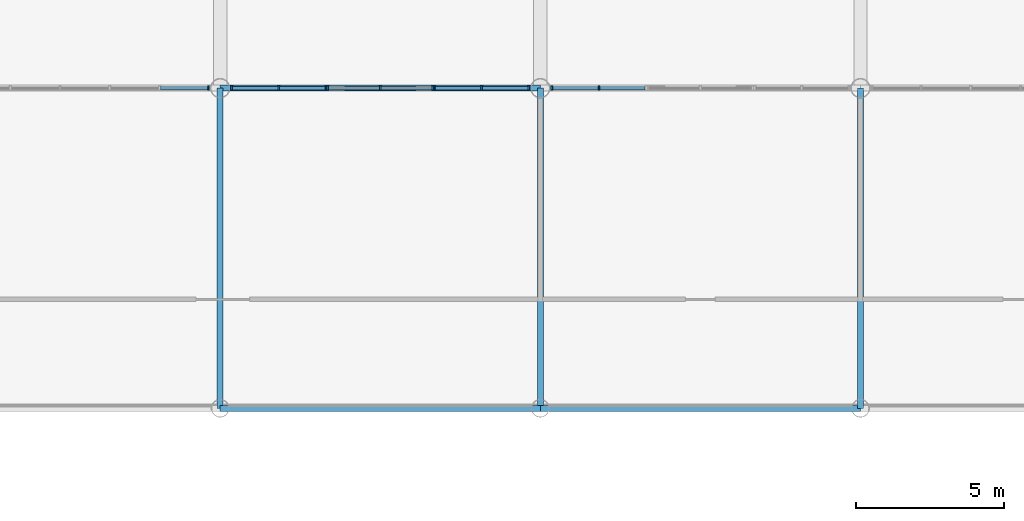
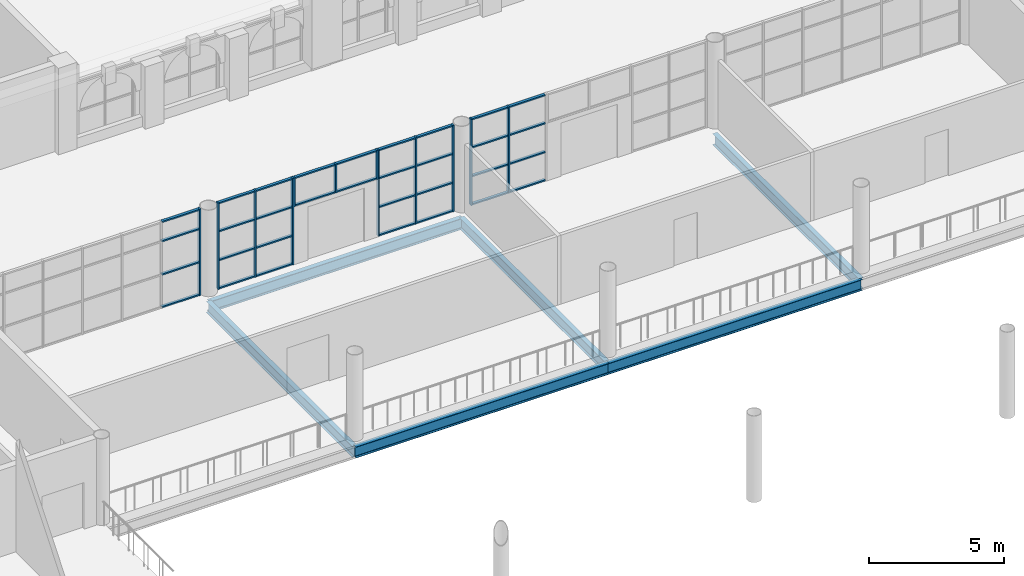
# One storey, part 25 of 95: 44 members, 6 beams, 5 elements without a shape of their own.
"""IFC4 building model written with IfcOpenShell, lengths in metres."""

from ifc_helpers import new_model, si_unit, direction, frame, origin, origin_2d, place, context, subcontext, project, spatial, rectangle, i_section, extrude, material, layer, layer_set, material_profile, profile_set, type_object, element, aggregate, save


model = new_model("IFC4")

# Units and contexts
model_context = context("Model", 3, precision=1e-05, world=origin(), true_north=direction((0.0, 1.0)))
body_context = subcontext(model_context, "Body", "Model", "MODEL_VIEW")
ifc_project = project(units=[si_unit("LENGTHUNIT", "METRE"), si_unit("AREAUNIT", "SQUARE_METRE"), si_unit("VOLUMEUNIT", "CUBIC_METRE"), si_unit("PLANEANGLEUNIT", "RADIAN"), si_unit("MASSUNIT", "GRAM", prefix="KILO")], contexts=[model_context])

# Site, building, storey
site_placement = place(None, origin())
site = spatial("IfcSite", under=ifc_project, at=site_placement, CompositionType="ELEMENT")
building_placement = place(site_placement, origin())
building = spatial("IfcBuilding", under=site, at=building_placement, Name="Magnolia Steps Interchange", CompositionType="ELEMENT")
storey_placement = place(building_placement, frame((0.0, 0.0, 4.800048828125)))
storey = spatial("IfcBuildingStorey", under=building, at=storey_placement, Name="L01", CompositionType="ELEMENT", Elevation=4.800048828125)

# Curtain wall, member
ifc_material_1 = material(Name="Powder-coated aluminium and glass", Category="aluminium")
ifc_layer = layer(ifc_material_1, 0.14990234375)
ifc_layer_set = layer_set([ifc_layer], Name="Glazed hall curtain wall")
curtain_wall_type = type_object("IfcCurtainWallType", Name="Glazed hall curtain wall", PredefinedType="NOTDEFINED", material=ifc_layer_set)
curtain_wall_1_placement = place(storey_placement, origin())
curtain_wall_1 = element("IfcCurtainWall", 1, at=curtain_wall_1_placement, inside=storey, type_object=curtain_wall_type, Name="Hall glazing N2 L01", PredefinedType="NOTDEFINED")
ifc_material_2 = material(Name="White powder-coated aluminium", Category="aluminium")
ifc_material_profile_1 = material_profile(ifc_material_2, rectangle(XDim=0.06005859375, YDim=0.14990234375, at=origin_2d()), Name="Aluminium mullion 60 x 150")
ifc_profile_set_1 = profile_set([ifc_material_profile_1], Name="White powder-coated aluminium")
member_type_1 = type_object("IfcMemberType", Name="Aluminium mullion 60 x 150", PredefinedType="MULLION", material=ifc_profile_set_1)
member_1_placement = place(storey_placement, frame((74.409912109375, 85.60009765625, 0.0), z_axis=(0.0, 0.0, 1.0), x_axis=(1.0, 0.0, 0.0)))
member_1 = element("IfcMember", 2, at=member_1_placement, type_object=member_type_1, Name="CW1 mullion 7", PredefinedType="MULLION", context=body_context, shape_type="SweptSolid", body=[
    extrude(rectangle(XDim=0.06005859375, YDim=0.14990234375, at=origin_2d()), origin(), (0.0, 0.0, 1.0), 3.89990234375),
])

# Curtain wall, members
curtain_wall_2_placement = place(storey_placement, origin())
curtain_wall_2 = element("IfcCurtainWall", 3, at=curtain_wall_2_placement, inside=storey, type_object=curtain_wall_type, Name="Hall glazing N3a L01", PredefinedType="NOTDEFINED")
member_2_placement = place(storey_placement, frame((75.18994140625, 85.60009765625, 0.0), z_axis=(0.0, 0.0, 1.0), x_axis=(1.0, 0.0, 0.0)))
member_2 = element("IfcMember", 4, at=member_2_placement, type_object=member_type_1, Name="CW1 mullion 1", PredefinedType="MULLION", context=body_context, shape_type="SweptSolid", body=[
    extrude(rectangle(XDim=0.06005859375, YDim=0.14990234375, at=origin_2d()), origin(), (0.0, 0.0, 1.0), 3.89990234375),
])
member_3_placement = place(storey_placement, frame((76.780029296875, 85.60009765625, 0.0), z_axis=(0.0, 0.0, 1.0), x_axis=(1.0, 0.0, 0.0)))
member_3 = element("IfcMember", 5, at=member_3_placement, type_object=member_type_1, Name="CW1 mullion 2", PredefinedType="MULLION", context=body_context, shape_type="SweptSolid", body=[
    extrude(rectangle(XDim=0.06005859375, YDim=0.14990234375, at=origin_2d()), origin(), (0.0, 0.0, 1.0), 3.89990234375),
])
member_4_placement = place(storey_placement, frame((78.3701171875, 85.60009765625, 0.0), z_axis=(0.0, 0.0, 1.0), x_axis=(1.0, 0.0, 0.0)))
member_4 = element("IfcMember", 6, at=member_4_placement, type_object=member_type_1, Name="CW1 mullion 3", PredefinedType="MULLION", context=body_context, shape_type="SweptSolid", body=[
    extrude(rectangle(XDim=0.06005859375, YDim=0.14990234375, at=origin_2d()), origin(), (0.0, 0.0, 1.0), 3.89990234375),
])

curtain_wall_3_placement = place(storey_placement, origin())
curtain_wall_3 = element("IfcCurtainWall", 7, at=curtain_wall_3_placement, inside=storey, type_object=curtain_wall_type, Name="Hall entrance fanlight N3", PredefinedType="NOTDEFINED")
member_5_placement = place(storey_placement, frame((78.429931640625, 85.60009765625, 2.599853515625), z_axis=(0.0, 0.0, 1.0), x_axis=(1.0, 0.0, 0.0)))
member_5 = element("IfcMember", 8, at=member_5_placement, type_object=member_type_1, Name="CW1 mullion 1", PredefinedType="MULLION", context=body_context, shape_type="SweptSolid", body=[
    extrude(rectangle(XDim=0.06005859375, YDim=0.14990234375, at=origin_2d()), origin(), (0.0, 0.0, 1.0), 1.300048828125),
])
member_6_placement = place(storey_placement, frame((80.199951171875, 85.60009765625, 2.599853515625), z_axis=(0.0, 0.0, 1.0), x_axis=(1.0, 0.0, 0.0)))
member_6 = element("IfcMember", 9, at=member_6_placement, type_object=member_type_1, Name="CW1 mullion 2", PredefinedType="MULLION", context=body_context, shape_type="SweptSolid", body=[
    extrude(rectangle(XDim=0.06005859375, YDim=0.14990234375, at=origin_2d()), origin(), (0.0, 0.0, 1.0), 1.300048828125),
])
member_7_placement = place(storey_placement, frame((81.969970703125, 85.60009765625, 2.599853515625), z_axis=(0.0, 0.0, 1.0), x_axis=(1.0, 0.0, 0.0)))
member_7 = element("IfcMember", 10, at=member_7_placement, type_object=member_type_1, Name="CW1 mullion 3", PredefinedType="MULLION", context=body_context, shape_type="SweptSolid", body=[
    extrude(rectangle(XDim=0.06005859375, YDim=0.14990234375, at=origin_2d()), origin(), (0.0, 0.0, 1.0), 1.300048828125),
])

curtain_wall_4_placement = place(storey_placement, origin())
curtain_wall_4 = element("IfcCurtainWall", 11, at=curtain_wall_4_placement, inside=storey, type_object=curtain_wall_type, Name="Hall glazing N3z L01", PredefinedType="NOTDEFINED")
member_8_placement = place(storey_placement, frame((82.030029296875, 85.60009765625, 0.0), z_axis=(0.0, 0.0, 1.0), x_axis=(1.0, 0.0, 0.0)))
member_8 = element("IfcMember", 12, at=member_8_placement, type_object=member_type_1, Name="CW1 mullion 1", PredefinedType="MULLION", context=body_context, shape_type="SweptSolid", body=[
    extrude(rectangle(XDim=0.06005859375, YDim=0.14990234375, at=origin_2d()), origin(), (0.0, 0.0, 1.0), 3.89990234375),
])
member_9_placement = place(storey_placement, frame((83.6201171875, 85.60009765625, 0.0), z_axis=(0.0, 0.0, 1.0), x_axis=(1.0, 0.0, 0.0)))
member_9 = element("IfcMember", 13, at=member_9_placement, type_object=member_type_1, Name="CW1 mullion 2", PredefinedType="MULLION", context=body_context, shape_type="SweptSolid", body=[
    extrude(rectangle(XDim=0.06005859375, YDim=0.14990234375, at=origin_2d()), origin(), (0.0, 0.0, 1.0), 3.89990234375),
])
member_10_placement = place(storey_placement, frame((85.2099609375, 85.60009765625, 0.0), z_axis=(0.0, 0.0, 1.0), x_axis=(1.0, 0.0, 0.0)))
member_10 = element("IfcMember", 14, at=member_10_placement, type_object=member_type_1, Name="CW1 mullion 3", PredefinedType="MULLION", context=body_context, shape_type="SweptSolid", body=[
    extrude(rectangle(XDim=0.06005859375, YDim=0.14990234375, at=origin_2d()), origin(), (0.0, 0.0, 1.0), 3.89990234375),
])

curtain_wall_5_placement = place(storey_placement, origin())
curtain_wall_5 = element("IfcCurtainWall", 15, at=curtain_wall_5_placement, inside=storey, type_object=curtain_wall_type, Name="Hall glazing N4a L01", PredefinedType="NOTDEFINED")
member_11_placement = place(storey_placement, frame((85.989990234375, 85.60009765625, 0.0), z_axis=(0.0, 0.0, 1.0), x_axis=(1.0, 0.0, 0.0)))
member_11 = element("IfcMember", 16, at=member_11_placement, type_object=member_type_1, Name="CW1 mullion 1", PredefinedType="MULLION", context=body_context, shape_type="SweptSolid", body=[
    extrude(rectangle(XDim=0.06005859375, YDim=0.14990234375, at=origin_2d()), origin(), (0.0, 0.0, 1.0), 3.89990234375),
])
member_12_placement = place(storey_placement, frame((87.580078125, 85.60009765625, 0.0), z_axis=(0.0, 0.0, 1.0), x_axis=(1.0, 0.0, 0.0)))
member_12 = element("IfcMember", 17, at=member_12_placement, type_object=member_type_1, Name="CW1 mullion 2", PredefinedType="MULLION", context=body_context, shape_type="SweptSolid", body=[
    extrude(rectangle(XDim=0.06005859375, YDim=0.14990234375, at=origin_2d()), origin(), (0.0, 0.0, 1.0), 3.89990234375),
])

# Member
ifc_material_3 = material(Name="White powder-coated aluminium", Category="aluminium")
ifc_material_profile_2 = material_profile(ifc_material_3, rectangle(XDim=0.06005859375, YDim=0.1201171875, at=origin_2d()), Name="Aluminium transom 60 x 120")
ifc_profile_set_2 = profile_set([ifc_material_profile_2], Name="White powder-coated aluminium")
member_type_2 = type_object("IfcMemberType", Name="Aluminium transom 60 x 120", PredefinedType="USERDEFINED", material=ifc_profile_set_2)
member_13_placement = place(storey_placement, frame((72.7900390625, 85.60009765625, 0.030029296875), z_axis=(1.0, 0.0, 0.0), x_axis=(0.0, 0.0, 1.0)))
member_13 = element("IfcMember", 18, at=member_13_placement, type_object=member_type_2, Name="CW1 transom 6.1", ObjectType="TRANSOM", PredefinedType="USERDEFINED", context=body_context, shape_type="SweptSolid", body=[
    extrude(rectangle(XDim=0.06005859375, YDim=0.1201171875, at=origin_2d()), origin(), (0.0, 0.0, 1.0), 1.58984375),
])

member_14_placement = place(storey_placement, frame((72.7900390625, 85.60009765625, 1.5), z_axis=(1.0, 0.0, 0.0), x_axis=(0.0, 0.0, 1.0)))
member_14 = element("IfcMember", 19, at=member_14_placement, type_object=member_type_2, Name="CW1 transom 6.2", ObjectType="TRANSOM", PredefinedType="USERDEFINED", context=body_context, shape_type="SweptSolid", body=[
    extrude(rectangle(XDim=0.06005859375, YDim=0.1201171875, at=origin_2d()), origin(), (0.0, 0.0, 1.0), 1.58984375),
])

member_15_placement = place(storey_placement, frame((72.7900390625, 85.60009765625, 3.0), z_axis=(1.0, 0.0, 0.0), x_axis=(0.0, 0.0, 1.0)))
member_15 = element("IfcMember", 20, at=member_15_placement, type_object=member_type_2, Name="CW1 transom 6.3", ObjectType="TRANSOM", PredefinedType="USERDEFINED", context=body_context, shape_type="SweptSolid", body=[
    extrude(rectangle(XDim=0.06005859375, YDim=0.1201171875, at=origin_2d()), origin(), (0.0, 0.0, 1.0), 1.58984375),
])

member_16_placement = place(storey_placement, frame((72.7900390625, 85.60009765625, 3.869873046875), z_axis=(1.0, 0.0, 0.0), x_axis=(0.0, 0.0, 1.0)))
member_16 = element("IfcMember", 21, at=member_16_placement, type_object=member_type_2, Name="CW1 transom 6.4", ObjectType="TRANSOM", PredefinedType="USERDEFINED", context=body_context, shape_type="SweptSolid", body=[
    extrude(rectangle(XDim=0.06005859375, YDim=0.1201171875, at=origin_2d()), origin(), (0.0, 0.0, 1.0), 1.58984375),
])

aggregate(curtain_wall_1, [member_1, member_13, member_14, member_15, member_16])

member_17_placement = place(storey_placement, frame((75.219970703125, 85.60009765625, 0.030029296875), z_axis=(1.0, 0.0, 0.0), x_axis=(0.0, 0.0, 1.0)))
member_17 = element("IfcMember", 22, at=member_17_placement, type_object=member_type_2, Name="CW1 transom 1.1", ObjectType="TRANSOM", PredefinedType="USERDEFINED", context=body_context, shape_type="SweptSolid", body=[
    extrude(rectangle(XDim=0.06005859375, YDim=0.1201171875, at=origin_2d()), origin(), (0.0, 0.0, 1.0), 1.530029296875),
])

member_18_placement = place(storey_placement, frame((75.219970703125, 85.60009765625, 1.300048828125), z_axis=(1.0, 0.0, 0.0), x_axis=(0.0, 0.0, 1.0)))
member_18 = element("IfcMember", 23, at=member_18_placement, type_object=member_type_2, Name="CW1 transom 1.2", ObjectType="TRANSOM", PredefinedType="USERDEFINED", context=body_context, shape_type="SweptSolid", body=[
    extrude(rectangle(XDim=0.06005859375, YDim=0.1201171875, at=origin_2d()), origin(), (0.0, 0.0, 1.0), 1.530029296875),
])

member_19_placement = place(storey_placement, frame((75.219970703125, 85.60009765625, 2.599853515625), z_axis=(1.0, 0.0, 0.0), x_axis=(0.0, 0.0, 1.0)))
member_19 = element("IfcMember", 24, at=member_19_placement, type_object=member_type_2, Name="CW1 transom 1.3", ObjectType="TRANSOM", PredefinedType="USERDEFINED", context=body_context, shape_type="SweptSolid", body=[
    extrude(rectangle(XDim=0.06005859375, YDim=0.1201171875, at=origin_2d()), origin(), (0.0, 0.0, 1.0), 1.530029296875),
])

member_20_placement = place(storey_placement, frame((75.219970703125, 85.60009765625, 3.869873046875), z_axis=(1.0, 0.0, 0.0), x_axis=(0.0, 0.0, 1.0)))
member_20 = element("IfcMember", 25, at=member_20_placement, type_object=member_type_2, Name="CW1 transom 1.4", ObjectType="TRANSOM", PredefinedType="USERDEFINED", context=body_context, shape_type="SweptSolid", body=[
    extrude(rectangle(XDim=0.06005859375, YDim=0.1201171875, at=origin_2d()), origin(), (0.0, 0.0, 1.0), 1.530029296875),
])

member_21_placement = place(storey_placement, frame((76.81005859375, 85.60009765625, 0.030029296875), z_axis=(1.0, 0.0, 0.0), x_axis=(0.0, 0.0, 1.0)))
member_21 = element("IfcMember", 26, at=member_21_placement, type_object=member_type_2, Name="CW1 transom 2.1", ObjectType="TRANSOM", PredefinedType="USERDEFINED", context=body_context, shape_type="SweptSolid", body=[
    extrude(rectangle(XDim=0.06005859375, YDim=0.1201171875, at=origin_2d()), origin(), (0.0, 0.0, 1.0), 1.530029296875),
])

member_22_placement = place(storey_placement, frame((76.81005859375, 85.60009765625, 1.300048828125), z_axis=(1.0, 0.0, 0.0), x_axis=(0.0, 0.0, 1.0)))
member_22 = element("IfcMember", 27, at=member_22_placement, type_object=member_type_2, Name="CW1 transom 2.2", ObjectType="TRANSOM", PredefinedType="USERDEFINED", context=body_context, shape_type="SweptSolid", body=[
    extrude(rectangle(XDim=0.06005859375, YDim=0.1201171875, at=origin_2d()), origin(), (0.0, 0.0, 1.0), 1.530029296875),
])

member_23_placement = place(storey_placement, frame((76.81005859375, 85.60009765625, 2.599853515625), z_axis=(1.0, 0.0, 0.0), x_axis=(0.0, 0.0, 1.0)))
member_23 = element("IfcMember", 28, at=member_23_placement, type_object=member_type_2, Name="CW1 transom 2.3", ObjectType="TRANSOM", PredefinedType="USERDEFINED", context=body_context, shape_type="SweptSolid", body=[
    extrude(rectangle(XDim=0.06005859375, YDim=0.1201171875, at=origin_2d()), origin(), (0.0, 0.0, 1.0), 1.530029296875),
])

member_24_placement = place(storey_placement, frame((76.81005859375, 85.60009765625, 3.869873046875), z_axis=(1.0, 0.0, 0.0), x_axis=(0.0, 0.0, 1.0)))
member_24 = element("IfcMember", 29, at=member_24_placement, type_object=member_type_2, Name="CW1 transom 2.4", ObjectType="TRANSOM", PredefinedType="USERDEFINED", context=body_context, shape_type="SweptSolid", body=[
    extrude(rectangle(XDim=0.06005859375, YDim=0.1201171875, at=origin_2d()), origin(), (0.0, 0.0, 1.0), 1.530029296875),
])

aggregate(curtain_wall_2, [member_2, member_3, member_4, member_17, member_18, member_19, member_20, member_21, member_22, member_23, member_24])

member_25_placement = place(storey_placement, frame((78.4599609375, 85.60009765625, 2.6298828125), z_axis=(1.0, 0.0, 0.0), x_axis=(0.0, 0.0, 1.0)))
member_25 = element("IfcMember", 30, at=member_25_placement, type_object=member_type_2, Name="CW1 transom 1.1", ObjectType="TRANSOM", PredefinedType="USERDEFINED", context=body_context, shape_type="SweptSolid", body=[
    extrude(rectangle(XDim=0.06005859375, YDim=0.1201171875, at=origin_2d()), origin(), (0.0, 0.0, 1.0), 1.7099609375),
])

member_26_placement = place(storey_placement, frame((78.4599609375, 85.60009765625, 3.869873046875), z_axis=(1.0, 0.0, 0.0), x_axis=(0.0, 0.0, 1.0)))
member_26 = element("IfcMember", 31, at=member_26_placement, type_object=member_type_2, Name="CW1 transom 1.2", ObjectType="TRANSOM", PredefinedType="USERDEFINED", context=body_context, shape_type="SweptSolid", body=[
    extrude(rectangle(XDim=0.06005859375, YDim=0.1201171875, at=origin_2d()), origin(), (0.0, 0.0, 1.0), 1.7099609375),
])

member_27_placement = place(storey_placement, frame((80.22998046875, 85.60009765625, 2.6298828125), z_axis=(1.0, 0.0, 0.0), x_axis=(0.0, 0.0, 1.0)))
member_27 = element("IfcMember", 32, at=member_27_placement, type_object=member_type_2, Name="CW1 transom 2.1", ObjectType="TRANSOM", PredefinedType="USERDEFINED", context=body_context, shape_type="SweptSolid", body=[
    extrude(rectangle(XDim=0.06005859375, YDim=0.1201171875, at=origin_2d()), origin(), (0.0, 0.0, 1.0), 1.7099609375),
])

member_28_placement = place(storey_placement, frame((80.22998046875, 85.60009765625, 3.869873046875), z_axis=(1.0, 0.0, 0.0), x_axis=(0.0, 0.0, 1.0)))
member_28 = element("IfcMember", 33, at=member_28_placement, type_object=member_type_2, Name="CW1 transom 2.2", ObjectType="TRANSOM", PredefinedType="USERDEFINED", context=body_context, shape_type="SweptSolid", body=[
    extrude(rectangle(XDim=0.06005859375, YDim=0.1201171875, at=origin_2d()), origin(), (0.0, 0.0, 1.0), 1.7099609375),
])

aggregate(curtain_wall_3, [member_5, member_6, member_7, member_25, member_26, member_27, member_28])

member_29_placement = place(storey_placement, frame((82.06005859375, 85.60009765625, 0.030029296875), z_axis=(1.0, 0.0, 0.0), x_axis=(0.0, 0.0, 1.0)))
member_29 = element("IfcMember", 34, at=member_29_placement, type_object=member_type_2, Name="CW1 transom 1.1", ObjectType="TRANSOM", PredefinedType="USERDEFINED", context=body_context, shape_type="SweptSolid", body=[
    extrude(rectangle(XDim=0.06005859375, YDim=0.1201171875, at=origin_2d()), origin(), (0.0, 0.0, 1.0), 1.530029296875),
])

member_30_placement = place(storey_placement, frame((82.06005859375, 85.60009765625, 1.300048828125), z_axis=(1.0, 0.0, 0.0), x_axis=(0.0, 0.0, 1.0)))
member_30 = element("IfcMember", 35, at=member_30_placement, type_object=member_type_2, Name="CW1 transom 1.2", ObjectType="TRANSOM", PredefinedType="USERDEFINED", context=body_context, shape_type="SweptSolid", body=[
    extrude(rectangle(XDim=0.06005859375, YDim=0.1201171875, at=origin_2d()), origin(), (0.0, 0.0, 1.0), 1.530029296875),
])

member_31_placement = place(storey_placement, frame((82.06005859375, 85.60009765625, 2.599853515625), z_axis=(1.0, 0.0, 0.0), x_axis=(0.0, 0.0, 1.0)))
member_31 = element("IfcMember", 36, at=member_31_placement, type_object=member_type_2, Name="CW1 transom 1.3", ObjectType="TRANSOM", PredefinedType="USERDEFINED", context=body_context, shape_type="SweptSolid", body=[
    extrude(rectangle(XDim=0.06005859375, YDim=0.1201171875, at=origin_2d()), origin(), (0.0, 0.0, 1.0), 1.530029296875),
])

member_32_placement = place(storey_placement, frame((82.06005859375, 85.60009765625, 3.869873046875), z_axis=(1.0, 0.0, 0.0), x_axis=(0.0, 0.0, 1.0)))
member_32 = element("IfcMember", 37, at=member_32_placement, type_object=member_type_2, Name="CW1 transom 1.4", ObjectType="TRANSOM", PredefinedType="USERDEFINED", context=body_context, shape_type="SweptSolid", body=[
    extrude(rectangle(XDim=0.06005859375, YDim=0.1201171875, at=origin_2d()), origin(), (0.0, 0.0, 1.0), 1.530029296875),
])

member_33_placement = place(storey_placement, frame((83.64990234375, 85.60009765625, 0.030029296875), z_axis=(1.0, 0.0, 0.0), x_axis=(0.0, 0.0, 1.0)))
member_33 = element("IfcMember", 38, at=member_33_placement, type_object=member_type_2, Name="CW1 transom 2.1", ObjectType="TRANSOM", PredefinedType="USERDEFINED", context=body_context, shape_type="SweptSolid", body=[
    extrude(rectangle(XDim=0.06005859375, YDim=0.1201171875, at=origin_2d()), origin(), (0.0, 0.0, 1.0), 1.530029296875),
])

member_34_placement = place(storey_placement, frame((83.64990234375, 85.60009765625, 1.300048828125), z_axis=(1.0, 0.0, 0.0), x_axis=(0.0, 0.0, 1.0)))
member_34 = element("IfcMember", 39, at=member_34_placement, type_object=member_type_2, Name="CW1 transom 2.2", ObjectType="TRANSOM", PredefinedType="USERDEFINED", context=body_context, shape_type="SweptSolid", body=[
    extrude(rectangle(XDim=0.06005859375, YDim=0.1201171875, at=origin_2d()), origin(), (0.0, 0.0, 1.0), 1.530029296875),
])

member_35_placement = place(storey_placement, frame((83.64990234375, 85.60009765625, 2.599853515625), z_axis=(1.0, 0.0, 0.0), x_axis=(0.0, 0.0, 1.0)))
member_35 = element("IfcMember", 40, at=member_35_placement, type_object=member_type_2, Name="CW1 transom 2.3", ObjectType="TRANSOM", PredefinedType="USERDEFINED", context=body_context, shape_type="SweptSolid", body=[
    extrude(rectangle(XDim=0.06005859375, YDim=0.1201171875, at=origin_2d()), origin(), (0.0, 0.0, 1.0), 1.530029296875),
])

member_36_placement = place(storey_placement, frame((83.64990234375, 85.60009765625, 3.869873046875), z_axis=(1.0, 0.0, 0.0), x_axis=(0.0, 0.0, 1.0)))
member_36 = element("IfcMember", 41, at=member_36_placement, type_object=member_type_2, Name="CW1 transom 2.4", ObjectType="TRANSOM", PredefinedType="USERDEFINED", context=body_context, shape_type="SweptSolid", body=[
    extrude(rectangle(XDim=0.06005859375, YDim=0.1201171875, at=origin_2d()), origin(), (0.0, 0.0, 1.0), 1.530029296875),
])

aggregate(curtain_wall_4, [member_8, member_9, member_10, member_29, member_30, member_31, member_32, member_33, member_34, member_35, member_36])

member_37_placement = place(storey_placement, frame((86.02001953125, 85.60009765625, 0.030029296875), z_axis=(1.0, 0.0, 0.0), x_axis=(0.0, 0.0, 1.0)))
member_37 = element("IfcMember", 42, at=member_37_placement, type_object=member_type_2, Name="CW1 transom 1.1", ObjectType="TRANSOM", PredefinedType="USERDEFINED", context=body_context, shape_type="SweptSolid", body=[
    extrude(rectangle(XDim=0.06005859375, YDim=0.1201171875, at=origin_2d()), origin(), (0.0, 0.0, 1.0), 1.530029296875),
])

member_38_placement = place(storey_placement, frame((86.02001953125, 85.60009765625, 1.300048828125), z_axis=(1.0, 0.0, 0.0), x_axis=(0.0, 0.0, 1.0)))
member_38 = element("IfcMember", 43, at=member_38_placement, type_object=member_type_2, Name="CW1 transom 1.2", ObjectType="TRANSOM", PredefinedType="USERDEFINED", context=body_context, shape_type="SweptSolid", body=[
    extrude(rectangle(XDim=0.06005859375, YDim=0.1201171875, at=origin_2d()), origin(), (0.0, 0.0, 1.0), 1.530029296875),
])

member_39_placement = place(storey_placement, frame((86.02001953125, 85.60009765625, 2.599853515625), z_axis=(1.0, 0.0, 0.0), x_axis=(0.0, 0.0, 1.0)))
member_39 = element("IfcMember", 44, at=member_39_placement, type_object=member_type_2, Name="CW1 transom 1.3", ObjectType="TRANSOM", PredefinedType="USERDEFINED", context=body_context, shape_type="SweptSolid", body=[
    extrude(rectangle(XDim=0.06005859375, YDim=0.1201171875, at=origin_2d()), origin(), (0.0, 0.0, 1.0), 1.530029296875),
])

member_40_placement = place(storey_placement, frame((86.02001953125, 85.60009765625, 3.869873046875), z_axis=(1.0, 0.0, 0.0), x_axis=(0.0, 0.0, 1.0)))
member_40 = element("IfcMember", 45, at=member_40_placement, type_object=member_type_2, Name="CW1 transom 1.4", ObjectType="TRANSOM", PredefinedType="USERDEFINED", context=body_context, shape_type="SweptSolid", body=[
    extrude(rectangle(XDim=0.06005859375, YDim=0.1201171875, at=origin_2d()), origin(), (0.0, 0.0, 1.0), 1.530029296875),
])

member_41_placement = place(storey_placement, frame((87.610107421875, 85.60009765625, 0.030029296875), z_axis=(1.0, 0.0, 0.0), x_axis=(0.0, 0.0, 1.0)))
member_41 = element("IfcMember", 46, at=member_41_placement, type_object=member_type_2, Name="CW1 transom 2.1", ObjectType="TRANSOM", PredefinedType="USERDEFINED", context=body_context, shape_type="SweptSolid", body=[
    extrude(rectangle(XDim=0.06005859375, YDim=0.1201171875, at=origin_2d()), origin(), (0.0, 0.0, 1.0), 1.52978515625),
])

member_42_placement = place(storey_placement, frame((87.610107421875, 85.60009765625, 1.300048828125), z_axis=(1.0, 0.0, 0.0), x_axis=(0.0, 0.0, 1.0)))
member_42 = element("IfcMember", 47, at=member_42_placement, type_object=member_type_2, Name="CW1 transom 2.2", ObjectType="TRANSOM", PredefinedType="USERDEFINED", context=body_context, shape_type="SweptSolid", body=[
    extrude(rectangle(XDim=0.06005859375, YDim=0.1201171875, at=origin_2d()), origin(), (0.0, 0.0, 1.0), 1.52978515625),
])

member_43_placement = place(storey_placement, frame((87.610107421875, 85.60009765625, 2.599853515625), z_axis=(1.0, 0.0, 0.0), x_axis=(0.0, 0.0, 1.0)))
member_43 = element("IfcMember", 48, at=member_43_placement, type_object=member_type_2, Name="CW1 transom 2.3", ObjectType="TRANSOM", PredefinedType="USERDEFINED", context=body_context, shape_type="SweptSolid", body=[
    extrude(rectangle(XDim=0.06005859375, YDim=0.1201171875, at=origin_2d()), origin(), (0.0, 0.0, 1.0), 1.52978515625),
])

member_44_placement = place(storey_placement, frame((87.610107421875, 85.60009765625, 3.869873046875), z_axis=(1.0, 0.0, 0.0), x_axis=(0.0, 0.0, 1.0)))
member_44 = element("IfcMember", 49, at=member_44_placement, type_object=member_type_2, Name="CW1 transom 2.4", ObjectType="TRANSOM", PredefinedType="USERDEFINED", context=body_context, shape_type="SweptSolid", body=[
    extrude(rectangle(XDim=0.06005859375, YDim=0.1201171875, at=origin_2d()), origin(), (0.0, 0.0, 1.0), 1.52978515625),
])

aggregate(curtain_wall_5, [member_11, member_12, member_37, member_38, member_39, member_40, member_41, member_42, member_43, member_44])

# Beams
ifc_material_4 = material(Name="Steel Q355B", Category="steel")
ifc_material_profile_3 = material_profile(ifc_material_4, i_section(OverallWidth=0.199951171875, OverallDepth=0.5, WebThickness=0.010009765625, FlangeThickness=0.01611328125, FilletRadius=0.02001953125, at=origin_2d()), Name="HN500x200")
ifc_profile_set_3 = profile_set([ifc_material_profile_3], Name="Steel Q355B")
beam_type = type_object("IfcBeamType", Name="Steel composite beam HN500x200", PredefinedType="BEAM", material=ifc_profile_set_3)
beam_1_placement = place(storey_placement, frame((74.800048828125, 74.800048828125, -0.650146484375), z_axis=(1.0, 0.0, 0.0), x_axis=(0.0, 1.0, 0.0)))
element("IfcBeam", 50, at=beam_1_placement, inside=storey, type_object=beam_type, Name="Beam L01 G 7-8", PredefinedType="BEAM", context=body_context, shape_type="SweptSolid", body=[
    extrude(i_section(OverallWidth=0.199951171875, OverallDepth=0.5, WebThickness=0.010009765625, FlangeThickness=0.01611328125, FilletRadius=0.02001953125, at=origin_2d()), origin(), (0.0, 0.0, 1.0), 10.800048828125),
])
beam_2_placement = place(storey_placement, frame((85.60009765625, 74.800048828125, -0.650146484375), z_axis=(1.0, 0.0, 0.0), x_axis=(0.0, 1.0, 0.0)))
element("IfcBeam", 51, at=beam_2_placement, inside=storey, type_object=beam_type, Name="Beam L01 G 8-9", PredefinedType="BEAM", context=body_context, shape_type="SweptSolid", body=[
    extrude(i_section(OverallWidth=0.199951171875, OverallDepth=0.5, WebThickness=0.010009765625, FlangeThickness=0.01611328125, FilletRadius=0.02001953125, at=origin_2d()), origin(), (0.0, 0.0, 1.0), 10.7998046875),
])
for number, where, z_axis, x_axis, name in (
    (52, (74.800048828125, 85.60009765625, -0.650146484375), (1.0, 0.0, 0.0), (0.0, 1.0, 0.0), "Beam L01 H 7-8"),
    (53, (74.800048828125, 74.800048828125, -0.650146484375), (0.0, 1.0, 0.0), (-1.0, 0.0, 0.0), "Beam L01 7 G-H"),
    (54, (85.60009765625, 74.800048828125, -0.650146484375), (0.0, 1.0, 0.0), (-1.0, 0.0, 0.0), "Beam L01 8 G-H"),
    (55, (96.39990234375, 74.800048828125, -0.650146484375), (0.0, 1.0, 0.0), (-1.0, 0.0, 0.0), "Beam L01 9 G-H"),
):
    element("IfcBeam", number, at=place(storey_placement, frame(where, z_axis=z_axis, x_axis=x_axis)), inside=storey, type_object=beam_type, Name=name, PredefinedType="BEAM", context=body_context, shape_type="SweptSolid", body=[
        extrude(i_section(OverallWidth=0.199951171875, OverallDepth=0.5, WebThickness=0.010009765625, FlangeThickness=0.01611328125, FilletRadius=0.02001953125, at=origin_2d()), origin(), (0.0, 0.0, 1.0), 10.800048828125),
    ])

save(model, "model.ifc")
